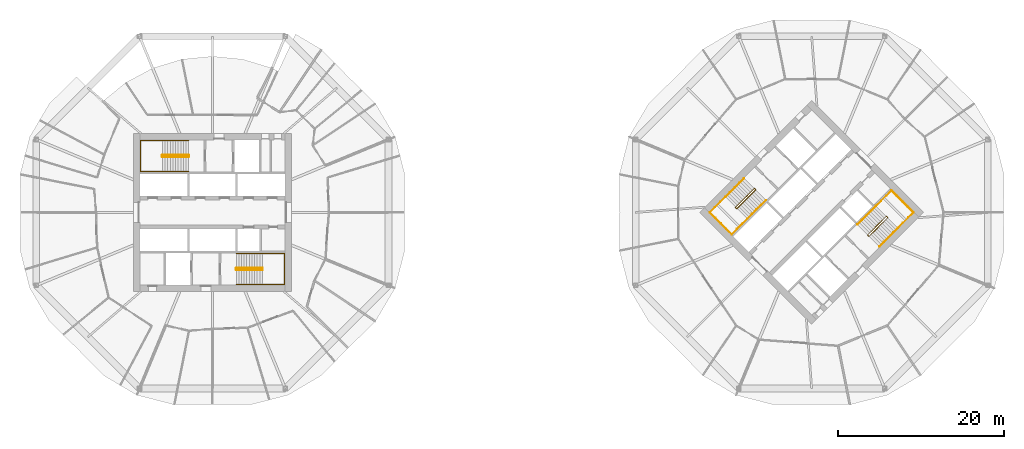
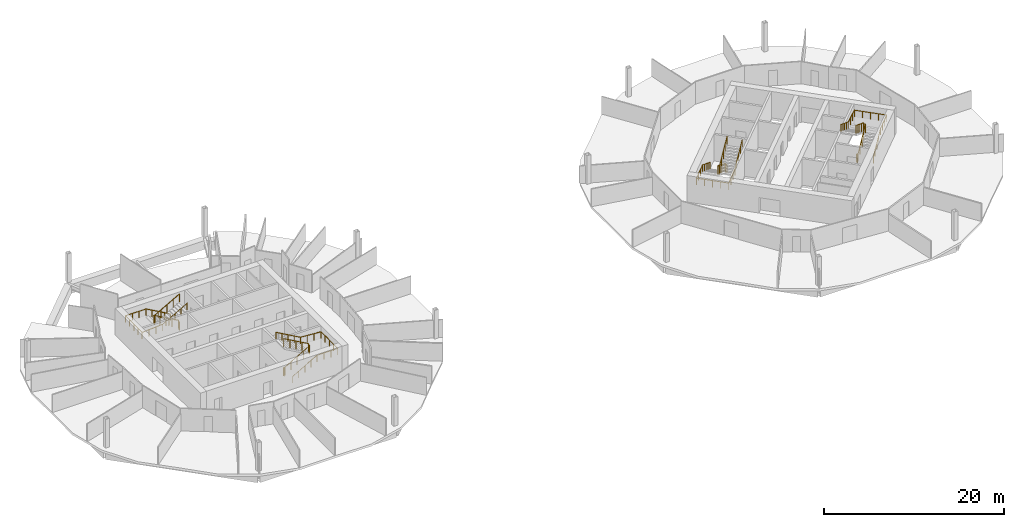
# One storey, part 10 of 10: 8 railings.
"""IFC4 building model written with IfcOpenShell, lengths in metres."""

from ifc_helpers import new_model, si_unit, direction, frame, origin, origin_2d, place, context, subcontext, project, spatial, circle, extrude, material, type_object, element, save


model = new_model("IFC4")

# Units and contexts
model_context = context("Model", 3, precision=1e-05, world=origin(), true_north=direction((0.0, 1.0)))
body_context = subcontext(model_context, "Body", "Model", "MODEL_VIEW")
ifc_project = project(units=[si_unit("LENGTHUNIT", "METRE"), si_unit("AREAUNIT", "SQUARE_METRE"), si_unit("VOLUMEUNIT", "CUBIC_METRE"), si_unit("PLANEANGLEUNIT", "RADIAN"), si_unit("MASSUNIT", "GRAM", prefix="KILO")], contexts=[model_context])

# Site, building, storey
site_placement = place(None, origin())
site = spatial("IfcSite", under=ifc_project, at=site_placement, CompositionType="ELEMENT")
building_placement = place(site_placement, origin())
building = spatial("IfcBuilding", under=site, at=building_placement, Name="Ogive Gate Towers", CompositionType="ELEMENT")
storey_placement = place(building_placement, frame((0.0, 0.0, 59.699951171875)))
storey = spatial("IfcBuildingStorey", under=building, at=storey_placement, Name="L13", CompositionType="ELEMENT", Elevation=59.699951171875)

# Railings
ifc_material = material(Name="Stainless steel", Category="steel")
railing_type_1 = type_object("IfcRailingType", Name="Stair guard 1100", PredefinedType="GUARDRAIL", material=ifc_material)
railing_1_placement = place(storey_placement, frame((-38.81494140625, 6.860107421875, 0.0)))
element("IfcRailing", 1, at=railing_1_placement, inside=storey, type_object=railing_type_1, Name="L13 ST1 stair guard 1", PredefinedType="GUARDRAIL", context=body_context, shape_type="SweptSolid", body=[
    extrude(circle(Radius=0.02392578125, at=origin_2d()), frame((0.0, 0.0, 1.076171875), z_axis=(0.0, -1.0, 0.0), x_axis=(1.0, 0.0, 0.0)), (0.0, 0.0, 1.0), 0.14501953125),
    extrude(circle(Radius=0.02392578125, at=origin_2d()), frame((0.0, -0.14501953125, 1.076171875), z_axis=(-0.186679794065, 0.726685247142, 0.661119660934), x_axis=(-0.968551454522, -0.24881334358, 0.0)), (0.0, 0.0, 1.0), 0.26806640625),
    extrude(circle(Radius=0.02392578125, at=origin_2d()), frame((-0.050048828125, 0.0498046875, 1.25341796875), z_axis=(-0.870572935281, 0.0, 0.492039393094), x_axis=(0.0, -1.0, 0.0)), (0.0, 0.0, 1.0), 3.602783203125),
    extrude(circle(Radius=0.02392578125, at=origin_2d()), frame((-3.1865234375, 0.0498046875, 3.02587890625), z_axis=(-0.707106781187, -0.707106781187, 0.0), x_axis=(0.707106781187, -0.707106781187, 0.0)), (0.0, 0.0, 1.0), 0.0703125),
    extrude(circle(Radius=0.02392578125, at=origin_2d()), frame((-3.236328125, 0.0, 3.02587890625), z_axis=(0.0, -1.0, 0.0), x_axis=(1.0, 0.0, 0.0)), (0.0, 0.0, 1.0), 0.14501953125),
    extrude(circle(Radius=0.02392578125, at=origin_2d()), frame((-3.236328125, -0.14501953125, 3.02587890625), z_axis=(0.260731885961, -0.262009983441, 0.929176868105), x_axis=(0.708833529934, 0.705375805398, 0.0)), (0.0, 0.0, 1.0), 0.19091796875),
    extrude(circle(Radius=0.02392578125, at=origin_2d()), frame((-3.1865234375, -0.195068359375, 3.20361328125), z_axis=(0.870572935281, 0.0, 0.492039393094), x_axis=(0.0, 1.0, 0.0)), (0.0, 0.0, 1.0), 3.602783203125),
    extrude(circle(Radius=0.02099609375, at=origin_2d()), origin(), (0.0, 0.0, 1.0), 1.052001953125),
    extrude(circle(Radius=0.02099609375, at=origin_2d()), frame((0.0, -0.14501953125, 0.0)), (0.0, 0.0, 1.0), 1.052001953125),
    extrude(circle(Radius=0.02099609375, at=origin_2d()), frame((-0.050048828125, 0.0498046875, 0.17724609375)), (0.0, 0.0, 1.0), 1.052001953125),
    extrude(circle(Radius=0.02099609375, at=origin_2d()), frame((-0.834228515625, 0.0498046875, 0.620361328125)), (0.0, 0.0, 1.0), 1.052001953125),
    extrude(circle(Radius=0.02099609375, at=origin_2d()), frame((-1.6181640625, 0.0498046875, 1.0634765625)), (0.0, 0.0, 1.0), 1.052001953125),
    extrude(circle(Radius=0.02099609375, at=origin_2d()), frame((-2.40234375, 0.0498046875, 1.5068359375)), (0.0, 0.0, 1.0), 1.052001953125),
    extrude(circle(Radius=0.02099609375, at=origin_2d()), frame((-3.1865234375, 0.0498046875, 1.949951171875)), (0.0, 0.0, 1.0), 1.052001953125),
    extrude(circle(Radius=0.02099609375, at=origin_2d()), frame((-3.236328125, 0.0, 1.949951171875)), (0.0, 0.0, 1.0), 1.052001953125),
    extrude(circle(Radius=0.02099609375, at=origin_2d()), frame((-3.236328125, -0.14501953125, 1.949951171875)), (0.0, 0.0, 1.0), 1.052001953125),
    extrude(circle(Radius=0.02099609375, at=origin_2d()), frame((-3.1865234375, -0.195068359375, 2.12744140625)), (0.0, 0.0, 1.0), 1.052001953125),
    extrude(circle(Radius=0.02099609375, at=origin_2d()), frame((-2.40234375, -0.195068359375, 2.570556640625)), (0.0, 0.0, 1.0), 1.052001953125),
    extrude(circle(Radius=0.02099609375, at=origin_2d()), frame((-1.6181640625, -0.195068359375, 3.013671875)), (0.0, 0.0, 1.0), 1.052001953125),
    extrude(circle(Radius=0.02099609375, at=origin_2d()), frame((-0.834228515625, -0.195068359375, 3.45703125)), (0.0, 0.0, 1.0), 1.052001953125),
    extrude(circle(Radius=0.02099609375, at=origin_2d()), frame((-0.050048828125, -0.195068359375, 3.900146484375)), (0.0, 0.0, 1.0), 1.052001953125),
])
railing_2_placement = place(storey_placement, frame((-33.18505859375, -6.860107421875, 0.0)))
element("IfcRailing", 2, at=railing_2_placement, inside=storey, type_object=railing_type_1, Name="L13 ST2 stair guard 1", PredefinedType="GUARDRAIL", context=body_context, shape_type="SweptSolid", body=[
    extrude(circle(Radius=0.02392578125, at=origin_2d()), frame((0.0, 0.0, 1.076171875), z_axis=(0.0, 1.0, 0.0), x_axis=(-1.0, 0.0, 0.0)), (0.0, 0.0, 1.0), 0.14501953125),
    extrude(circle(Radius=0.02392578125, at=origin_2d()), frame((0.0, 0.14501953125, 1.076171875), z_axis=(0.186679794065, -0.726685247142, 0.661119660934), x_axis=(0.968551454522, 0.24881334358, 0.0)), (0.0, 0.0, 1.0), 0.26806640625),
    extrude(circle(Radius=0.02392578125, at=origin_2d()), frame((0.050048828125, -0.0498046875, 1.25341796875), z_axis=(0.870572935281, 0.0, 0.492039393094), x_axis=(0.0, 1.0, 0.0)), (0.0, 0.0, 1.0), 3.602783203125),
    extrude(circle(Radius=0.02392578125, at=origin_2d()), frame((3.1865234375, -0.0498046875, 3.02587890625), z_axis=(0.707106781187, 0.707106781187, 0.0), x_axis=(-0.707106781187, 0.707106781187, 0.0)), (0.0, 0.0, 1.0), 0.0703125),
    extrude(circle(Radius=0.02392578125, at=origin_2d()), frame((3.236328125, 0.0, 3.02587890625), z_axis=(0.0, 1.0, 0.0), x_axis=(-1.0, 0.0, 0.0)), (0.0, 0.0, 1.0), 0.14501953125),
    extrude(circle(Radius=0.02392578125, at=origin_2d()), frame((3.236328125, 0.14501953125, 3.02587890625), z_axis=(-0.260731885961, 0.262009983441, 0.929176868105), x_axis=(-0.708833529934, -0.705375805398, 0.0)), (0.0, 0.0, 1.0), 0.19091796875),
    extrude(circle(Radius=0.02392578125, at=origin_2d()), frame((3.1865234375, 0.195068359375, 3.20361328125), z_axis=(-0.870572935281, 0.0, 0.492039393094), x_axis=(0.0, -1.0, 0.0)), (0.0, 0.0, 1.0), 3.602783203125),
    extrude(circle(Radius=0.02099609375, at=origin_2d()), origin(), (0.0, 0.0, 1.0), 1.052001953125),
    extrude(circle(Radius=0.02099609375, at=origin_2d()), frame((0.0, 0.14501953125, 0.0)), (0.0, 0.0, 1.0), 1.052001953125),
    extrude(circle(Radius=0.02099609375, at=origin_2d()), frame((0.050048828125, -0.0498046875, 0.17724609375)), (0.0, 0.0, 1.0), 1.052001953125),
    extrude(circle(Radius=0.02099609375, at=origin_2d()), frame((0.834228515625, -0.0498046875, 0.620361328125)), (0.0, 0.0, 1.0), 1.052001953125),
    extrude(circle(Radius=0.02099609375, at=origin_2d()), frame((1.6181640625, -0.0498046875, 1.0634765625)), (0.0, 0.0, 1.0), 1.052001953125),
    extrude(circle(Radius=0.02099609375, at=origin_2d()), frame((2.40234375, -0.0498046875, 1.5068359375)), (0.0, 0.0, 1.0), 1.052001953125),
    extrude(circle(Radius=0.02099609375, at=origin_2d()), frame((3.1865234375, -0.0498046875, 1.949951171875)), (0.0, 0.0, 1.0), 1.052001953125),
    extrude(circle(Radius=0.02099609375, at=origin_2d()), frame((3.236328125, 0.0, 1.949951171875)), (0.0, 0.0, 1.0), 1.052001953125),
    extrude(circle(Radius=0.02099609375, at=origin_2d()), frame((3.236328125, 0.14501953125, 1.949951171875)), (0.0, 0.0, 1.0), 1.052001953125),
    extrude(circle(Radius=0.02099609375, at=origin_2d()), frame((3.1865234375, 0.195068359375, 2.12744140625)), (0.0, 0.0, 1.0), 1.052001953125),
    extrude(circle(Radius=0.02099609375, at=origin_2d()), frame((2.40234375, 0.195068359375, 2.570556640625)), (0.0, 0.0, 1.0), 1.052001953125),
    extrude(circle(Radius=0.02099609375, at=origin_2d()), frame((1.6181640625, 0.195068359375, 3.013671875)), (0.0, 0.0, 1.0), 1.052001953125),
    extrude(circle(Radius=0.02099609375, at=origin_2d()), frame((0.834228515625, 0.195068359375, 3.45703125)), (0.0, 0.0, 1.0), 1.052001953125),
    extrude(circle(Radius=0.02099609375, at=origin_2d()), frame((0.050048828125, 0.195068359375, 3.900146484375)), (0.0, 0.0, 1.0), 1.052001953125),
])
railing_3_placement = place(storey_placement, frame((29.15869140625, 2.8603515625, 0.0)))
element("IfcRailing", 3, at=railing_3_placement, inside=storey, type_object=railing_type_1, Name="L13 ST1 stair guard 1", PredefinedType="GUARDRAIL", context=body_context, shape_type="SweptSolid", body=[
    extrude(circle(Radius=0.02392578125, at=origin_2d()), frame((0.0, 0.0, 1.076171875), z_axis=(0.707106781187, -0.707106781187, 0.0), x_axis=(0.707106781187, 0.707106781187, 0.0)), (0.0, 0.0, 1.0), 0.14501953125),
    extrude(circle(Radius=0.02392578125, at=origin_2d()), frame((0.1025390625, -0.1025390625, 1.076171875), z_axis=(-0.645571447971, 0.382425963537, 0.661050594114), x_axis=(-0.509669330572, -0.860370369942, 0.0)), (0.0, 0.0, 1.0), 0.26806640625),
    extrude(circle(Radius=0.02392578125, at=origin_2d()), frame((-0.070556640625, 0.0, 1.25341796875), z_axis=(-0.61558473135, -0.61558473135, 0.49204763698), x_axis=(0.707106781187, -0.707106781187, 0.0)), (0.0, 0.0, 1.0), 3.602783203125),
    extrude(circle(Radius=0.02392578125, at=origin_2d()), frame((-2.288330078125, -2.2177734375, 3.02587890625), z_axis=(0.0, -1.0, 0.0), x_axis=(1.0, 0.0, 0.0)), (0.0, 0.0, 1.0), 0.07080078125),
    extrude(circle(Radius=0.02392578125, at=origin_2d()), frame((-2.288330078125, -2.28857421875, 3.02587890625), z_axis=(0.707106781187, -0.707106781187, 0.0), x_axis=(0.707106781187, 0.707106781187, 0.0)), (0.0, 0.0, 1.0), 0.14501953125),
    extrude(circle(Radius=0.02392578125, at=origin_2d()), frame((-2.185791015625, -2.39111328125, 3.02587890625), z_axis=(0.369406379806, 0.0, 0.92926795197), x_axis=(0.0, 1.0, 0.0)), (0.0, 0.0, 1.0), 0.19091796875),
    extrude(circle(Radius=0.02392578125, at=origin_2d()), frame((-2.115234375, -2.39111328125, 3.20361328125), z_axis=(0.61558473135, 0.61558473135, 0.49204763698), x_axis=(-0.707106781187, 0.707106781187, 0.0)), (0.0, 0.0, 1.0), 3.602783203125),
    extrude(circle(Radius=0.02099609375, at=origin_2d()), origin(), (0.0, 0.0, 1.0), 1.052001953125),
    extrude(circle(Radius=0.02099609375, at=origin_2d()), frame((0.1025390625, -0.1025390625, 0.0)), (0.0, 0.0, 1.0), 1.052001953125),
    extrude(circle(Radius=0.02099609375, at=origin_2d()), frame((-0.070556640625, 0.0, 0.17724609375)), (0.0, 0.0, 1.0), 1.052001953125),
    extrude(circle(Radius=0.02099609375, at=origin_2d()), frame((-0.625, -0.554443359375, 0.620361328125)), (0.0, 0.0, 1.0), 1.052001953125),
    extrude(circle(Radius=0.02099609375, at=origin_2d()), frame((-1.179443359375, -1.10888671875, 1.0634765625)), (0.0, 0.0, 1.0), 1.052001953125),
    extrude(circle(Radius=0.02099609375, at=origin_2d()), frame((-1.73388671875, -1.663330078125, 1.5068359375)), (0.0, 0.0, 1.0), 1.052001953125),
    extrude(circle(Radius=0.02099609375, at=origin_2d()), frame((-2.288330078125, -2.2177734375, 1.949951171875)), (0.0, 0.0, 1.0), 1.052001953125),
    extrude(circle(Radius=0.02099609375, at=origin_2d()), frame((-2.288330078125, -2.28857421875, 1.949951171875)), (0.0, 0.0, 1.0), 1.052001953125),
    extrude(circle(Radius=0.02099609375, at=origin_2d()), frame((-2.185791015625, -2.39111328125, 1.949951171875)), (0.0, 0.0, 1.0), 1.052001953125),
    extrude(circle(Radius=0.02099609375, at=origin_2d()), frame((-2.115234375, -2.39111328125, 2.12744140625)), (0.0, 0.0, 1.0), 1.052001953125),
    extrude(circle(Radius=0.02099609375, at=origin_2d()), frame((-1.560791015625, -1.836669921875, 2.570556640625)), (0.0, 0.0, 1.0), 1.052001953125),
    extrude(circle(Radius=0.02099609375, at=origin_2d()), frame((-1.00634765625, -1.2822265625, 3.013671875)), (0.0, 0.0, 1.0), 1.052001953125),
    extrude(circle(Radius=0.02099609375, at=origin_2d()), frame((-0.451904296875, -0.727783203125, 3.45703125)), (0.0, 0.0, 1.0), 1.052001953125),
    extrude(circle(Radius=0.02099609375, at=origin_2d()), frame((0.1025390625, -0.17333984375, 3.900146484375)), (0.0, 0.0, 1.0), 1.052001953125),
])
railing_4_placement = place(storey_placement, frame((42.84130859375, -2.8603515625, 0.0)))
element("IfcRailing", 4, at=railing_4_placement, inside=storey, type_object=railing_type_1, Name="L13 ST2 stair guard 1", PredefinedType="GUARDRAIL", context=body_context, shape_type="SweptSolid", body=[
    extrude(circle(Radius=0.02392578125, at=origin_2d()), frame((0.0, 0.0, 1.076171875), z_axis=(-0.707106781187, 0.707106781187, 0.0), x_axis=(-0.707106781187, -0.707106781187, 0.0)), (0.0, 0.0, 1.0), 0.14501953125),
    extrude(circle(Radius=0.02392578125, at=origin_2d()), frame((-0.1025390625, 0.1025390625, 1.076171875), z_axis=(0.645571447971, -0.382425963537, 0.661050594114), x_axis=(0.509669330572, 0.860370369942, 0.0)), (0.0, 0.0, 1.0), 0.26806640625),
    extrude(circle(Radius=0.02392578125, at=origin_2d()), frame((0.070556640625, 0.0, 1.25341796875), z_axis=(0.61558473135, 0.61558473135, 0.49204763698), x_axis=(-0.707106781187, 0.707106781187, 0.0)), (0.0, 0.0, 1.0), 3.602783203125),
    extrude(circle(Radius=0.02392578125, at=origin_2d()), frame((2.288330078125, 2.2177734375, 3.02587890625), z_axis=(0.0, 1.0, 0.0), x_axis=(-1.0, 0.0, 0.0)), (0.0, 0.0, 1.0), 0.07080078125),
    extrude(circle(Radius=0.02392578125, at=origin_2d()), frame((2.288330078125, 2.28857421875, 3.02587890625), z_axis=(-0.707106781187, 0.707106781187, 0.0), x_axis=(-0.707106781187, -0.707106781187, 0.0)), (0.0, 0.0, 1.0), 0.14501953125),
    extrude(circle(Radius=0.02392578125, at=origin_2d()), frame((2.185791015625, 2.39111328125, 3.02587890625), z_axis=(-0.369406379806, 0.0, 0.92926795197), x_axis=(0.0, -1.0, 0.0)), (0.0, 0.0, 1.0), 0.19091796875),
    extrude(circle(Radius=0.02392578125, at=origin_2d()), frame((2.115234375, 2.39111328125, 3.20361328125), z_axis=(-0.61558473135, -0.61558473135, 0.49204763698), x_axis=(0.707106781187, -0.707106781187, 0.0)), (0.0, 0.0, 1.0), 3.602783203125),
    extrude(circle(Radius=0.02099609375, at=origin_2d()), origin(), (0.0, 0.0, 1.0), 1.052001953125),
    extrude(circle(Radius=0.02099609375, at=origin_2d()), frame((-0.1025390625, 0.1025390625, 0.0)), (0.0, 0.0, 1.0), 1.052001953125),
    extrude(circle(Radius=0.02099609375, at=origin_2d()), frame((0.070556640625, 0.0, 0.17724609375)), (0.0, 0.0, 1.0), 1.052001953125),
    extrude(circle(Radius=0.02099609375, at=origin_2d()), frame((0.625, 0.554443359375, 0.620361328125)), (0.0, 0.0, 1.0), 1.052001953125),
    extrude(circle(Radius=0.02099609375, at=origin_2d()), frame((1.179443359375, 1.10888671875, 1.0634765625)), (0.0, 0.0, 1.0), 1.052001953125),
    extrude(circle(Radius=0.02099609375, at=origin_2d()), frame((1.73388671875, 1.663330078125, 1.5068359375)), (0.0, 0.0, 1.0), 1.052001953125),
    extrude(circle(Radius=0.02099609375, at=origin_2d()), frame((2.288330078125, 2.2177734375, 1.949951171875)), (0.0, 0.0, 1.0), 1.052001953125),
    extrude(circle(Radius=0.02099609375, at=origin_2d()), frame((2.288330078125, 2.28857421875, 1.949951171875)), (0.0, 0.0, 1.0), 1.052001953125),
    extrude(circle(Radius=0.02099609375, at=origin_2d()), frame((2.185791015625, 2.39111328125, 1.949951171875)), (0.0, 0.0, 1.0), 1.052001953125),
    extrude(circle(Radius=0.02099609375, at=origin_2d()), frame((2.115234375, 2.39111328125, 2.12744140625)), (0.0, 0.0, 1.0), 1.052001953125),
    extrude(circle(Radius=0.02099609375, at=origin_2d()), frame((1.560791015625, 1.836669921875, 2.570556640625)), (0.0, 0.0, 1.0), 1.052001953125),
    extrude(circle(Radius=0.02099609375, at=origin_2d()), frame((1.00634765625, 1.2822265625, 3.013671875)), (0.0, 0.0, 1.0), 1.052001953125),
    extrude(circle(Radius=0.02099609375, at=origin_2d()), frame((0.451904296875, 0.727783203125, 3.45703125)), (0.0, 0.0, 1.0), 1.052001953125),
    extrude(circle(Radius=0.02099609375, at=origin_2d()), frame((-0.1025390625, 0.17333984375, 3.900146484375)), (0.0, 0.0, 1.0), 1.052001953125),
])
railing_type_2 = type_object("IfcRailingType", Name="Stair handrail 900", PredefinedType="HANDRAIL", material=ifc_material)
railing_5_placement = place(storey_placement, frame((-38.864990234375, 8.64990234375, 0.17724609375)))
element("IfcRailing", 5, at=railing_5_placement, inside=storey, type_object=railing_type_2, Name="L13 ST1 stair handrail 1", PredefinedType="HANDRAIL", context=body_context, shape_type="SweptSolid", body=[
    extrude(circle(Radius=0.02392578125, at=origin_2d()), frame((0.0, 0.0, 0.8759765625), z_axis=(-0.870572935281, 0.0, 0.492039393094), x_axis=(0.0, -1.0, 0.0)), (0.0, 0.0, 1.0), 3.602783203125),
    extrude(circle(Radius=0.02392578125, at=origin_2d()), frame((-3.136474609375, 0.0, 2.6484375), z_axis=(-1.0, 0.0, 0.0), x_axis=(0.0, -1.0, 0.0)), (0.0, 0.0, 1.0), 2.6484375),
    extrude(circle(Radius=0.02392578125, at=origin_2d()), frame((-5.784912109375, 0.0, 2.6484375), z_axis=(0.0, -1.0, 0.0), x_axis=(1.0, 0.0, 0.0)), (0.0, 0.0, 1.0), 3.724853515625),
    extrude(circle(Radius=0.02392578125, at=origin_2d()), frame((-5.784912109375, -3.724853515625, 2.6484375), z_axis=(0.997761899551, 0.0, 0.06686697096), x_axis=(0.0, 1.0, 0.0)), (0.0, 0.0, 1.0), 2.654296875),
    extrude(circle(Radius=0.02392578125, at=origin_2d()), frame((-3.136474609375, -3.724853515625, 2.826171875), z_axis=(0.870572935281, 0.0, 0.492039393094), x_axis=(0.0, 1.0, 0.0)), (0.0, 0.0, 1.0), 3.602783203125),
    extrude(circle(Radius=0.02099609375, at=origin_2d()), origin(), (0.0, 0.0, 1.0), 0.851806640625),
    extrude(circle(Radius=0.02099609375, at=origin_2d()), frame((-0.7841796875, 0.0, 0.443115234375)), (0.0, 0.0, 1.0), 0.851806640625),
    extrude(circle(Radius=0.02099609375, at=origin_2d()), frame((-1.568359375, 0.0, 0.88623046875)), (0.0, 0.0, 1.0), 0.851806640625),
    extrude(circle(Radius=0.02099609375, at=origin_2d()), frame((-2.352294921875, 0.0, 1.32958984375)), (0.0, 0.0, 1.0), 0.851806640625),
    extrude(circle(Radius=0.02099609375, at=origin_2d()), frame((-3.136474609375, 0.0, 1.772705078125)), (0.0, 0.0, 1.0), 0.851806640625),
    extrude(circle(Radius=0.02099609375, at=origin_2d()), frame((-4.019287109375, 0.0, 1.772705078125)), (0.0, 0.0, 1.0), 0.851806640625),
    extrude(circle(Radius=0.02099609375, at=origin_2d()), frame((-4.902099609375, 0.0, 1.772705078125)), (0.0, 0.0, 1.0), 0.851806640625),
    extrude(circle(Radius=0.02099609375, at=origin_2d()), frame((-5.784912109375, 0.0, 1.772705078125)), (0.0, 0.0, 1.0), 0.851806640625),
    extrude(circle(Radius=0.02099609375, at=origin_2d()), frame((-5.784912109375, -0.93115234375, 1.772705078125)), (0.0, 0.0, 1.0), 0.851806640625),
    extrude(circle(Radius=0.02099609375, at=origin_2d()), frame((-5.784912109375, -1.8623046875, 1.772705078125)), (0.0, 0.0, 1.0), 0.851806640625),
    extrude(circle(Radius=0.02099609375, at=origin_2d()), frame((-5.784912109375, -2.793701171875, 1.772705078125)), (0.0, 0.0, 1.0), 0.851806640625),
    extrude(circle(Radius=0.02099609375, at=origin_2d()), frame((-5.784912109375, -3.724853515625, 1.772705078125)), (0.0, 0.0, 1.0), 0.851806640625),
    extrude(circle(Radius=0.02099609375, at=origin_2d()), frame((-4.902099609375, -3.724853515625, 1.831787109375)), (0.0, 0.0, 1.0), 0.851806640625),
    extrude(circle(Radius=0.02099609375, at=origin_2d()), frame((-4.019287109375, -3.724853515625, 1.89111328125)), (0.0, 0.0, 1.0), 0.851806640625),
    extrude(circle(Radius=0.02099609375, at=origin_2d()), frame((-3.136474609375, -3.724853515625, 1.9501953125)), (0.0, 0.0, 1.0), 0.851806640625),
    extrude(circle(Radius=0.02099609375, at=origin_2d()), frame((-2.352294921875, -3.724853515625, 2.393310546875)), (0.0, 0.0, 1.0), 0.851806640625),
    extrude(circle(Radius=0.02099609375, at=origin_2d()), frame((-1.568359375, -3.724853515625, 2.83642578125)), (0.0, 0.0, 1.0), 0.851806640625),
    extrude(circle(Radius=0.02099609375, at=origin_2d()), frame((-0.7841796875, -3.724853515625, 3.27978515625)), (0.0, 0.0, 1.0), 0.851806640625),
    extrude(circle(Radius=0.02099609375, at=origin_2d()), frame((0.0, -3.724853515625, 3.722900390625)), (0.0, 0.0, 1.0), 0.851806640625),
])
railing_6_placement = place(storey_placement, frame((-33.135009765625, -8.64990234375, 0.17724609375)))
element("IfcRailing", 6, at=railing_6_placement, inside=storey, type_object=railing_type_2, Name="L13 ST2 stair handrail 1", PredefinedType="HANDRAIL", context=body_context, shape_type="SweptSolid", body=[
    extrude(circle(Radius=0.02392578125, at=origin_2d()), frame((0.0, 0.0, 0.8759765625), z_axis=(0.870572935281, 0.0, 0.492039393094), x_axis=(0.0, 1.0, 0.0)), (0.0, 0.0, 1.0), 3.602783203125),
    extrude(circle(Radius=0.02392578125, at=origin_2d()), frame((3.136474609375, 0.0, 2.6484375), z_axis=(1.0, 0.0, 0.0), x_axis=(0.0, 1.0, 0.0)), (0.0, 0.0, 1.0), 2.6484375),
    extrude(circle(Radius=0.02392578125, at=origin_2d()), frame((5.784912109375, 0.0, 2.6484375), z_axis=(0.0, 1.0, 0.0), x_axis=(-1.0, 0.0, 0.0)), (0.0, 0.0, 1.0), 3.724853515625),
    extrude(circle(Radius=0.02392578125, at=origin_2d()), frame((5.784912109375, 3.724853515625, 2.6484375), z_axis=(-0.997761899551, 0.0, 0.06686697096), x_axis=(0.0, -1.0, 0.0)), (0.0, 0.0, 1.0), 2.654296875),
    extrude(circle(Radius=0.02392578125, at=origin_2d()), frame((3.136474609375, 3.724853515625, 2.826171875), z_axis=(-0.870572935281, 0.0, 0.492039393094), x_axis=(0.0, -1.0, 0.0)), (0.0, 0.0, 1.0), 3.602783203125),
    extrude(circle(Radius=0.02099609375, at=origin_2d()), origin(), (0.0, 0.0, 1.0), 0.851806640625),
    extrude(circle(Radius=0.02099609375, at=origin_2d()), frame((0.7841796875, 0.0, 0.443115234375)), (0.0, 0.0, 1.0), 0.851806640625),
    extrude(circle(Radius=0.02099609375, at=origin_2d()), frame((1.568359375, 0.0, 0.88623046875)), (0.0, 0.0, 1.0), 0.851806640625),
    extrude(circle(Radius=0.02099609375, at=origin_2d()), frame((2.352294921875, 0.0, 1.32958984375)), (0.0, 0.0, 1.0), 0.851806640625),
    extrude(circle(Radius=0.02099609375, at=origin_2d()), frame((3.136474609375, 0.0, 1.772705078125)), (0.0, 0.0, 1.0), 0.851806640625),
    extrude(circle(Radius=0.02099609375, at=origin_2d()), frame((4.019287109375, 0.0, 1.772705078125)), (0.0, 0.0, 1.0), 0.851806640625),
    extrude(circle(Radius=0.02099609375, at=origin_2d()), frame((4.902099609375, 0.0, 1.772705078125)), (0.0, 0.0, 1.0), 0.851806640625),
    extrude(circle(Radius=0.02099609375, at=origin_2d()), frame((5.784912109375, 0.0, 1.772705078125)), (0.0, 0.0, 1.0), 0.851806640625),
    extrude(circle(Radius=0.02099609375, at=origin_2d()), frame((5.784912109375, 0.93115234375, 1.772705078125)), (0.0, 0.0, 1.0), 0.851806640625),
    extrude(circle(Radius=0.02099609375, at=origin_2d()), frame((5.784912109375, 1.8623046875, 1.772705078125)), (0.0, 0.0, 1.0), 0.851806640625),
    extrude(circle(Radius=0.02099609375, at=origin_2d()), frame((5.784912109375, 2.793701171875, 1.772705078125)), (0.0, 0.0, 1.0), 0.851806640625),
    extrude(circle(Radius=0.02099609375, at=origin_2d()), frame((5.784912109375, 3.724853515625, 1.772705078125)), (0.0, 0.0, 1.0), 0.851806640625),
    extrude(circle(Radius=0.02099609375, at=origin_2d()), frame((4.902099609375, 3.724853515625, 1.831787109375)), (0.0, 0.0, 1.0), 0.851806640625),
    extrude(circle(Radius=0.02099609375, at=origin_2d()), frame((4.019287109375, 3.724853515625, 1.89111328125)), (0.0, 0.0, 1.0), 0.851806640625),
    extrude(circle(Radius=0.02099609375, at=origin_2d()), frame((3.136474609375, 3.724853515625, 1.9501953125)), (0.0, 0.0, 1.0), 0.851806640625),
    extrude(circle(Radius=0.02099609375, at=origin_2d()), frame((2.352294921875, 3.724853515625, 2.393310546875)), (0.0, 0.0, 1.0), 0.851806640625),
    extrude(circle(Radius=0.02099609375, at=origin_2d()), frame((1.568359375, 3.724853515625, 2.83642578125)), (0.0, 0.0, 1.0), 0.851806640625),
    extrude(circle(Radius=0.02099609375, at=origin_2d()), frame((0.7841796875, 3.724853515625, 3.27978515625)), (0.0, 0.0, 1.0), 0.851806640625),
    extrude(circle(Radius=0.02099609375, at=origin_2d()), frame((0.0, 3.724853515625, 3.722900390625)), (0.0, 0.0, 1.0), 0.851806640625),
])
railing_7_placement = place(storey_placement, frame((27.857666015625, 4.090576171875, 0.17724609375)))
element("IfcRailing", 7, at=railing_7_placement, inside=storey, type_object=railing_type_2, Name="L13 ST1 stair handrail 1", PredefinedType="HANDRAIL", context=body_context, shape_type="SweptSolid", body=[
    extrude(circle(Radius=0.02392578125, at=origin_2d()), frame((0.0, 0.0, 0.8759765625), z_axis=(-0.61558473135, -0.61558473135, 0.49204763698), x_axis=(0.707106781187, -0.707106781187, 0.0)), (0.0, 0.0, 1.0), 3.602783203125),
    extrude(circle(Radius=0.02392578125, at=origin_2d()), frame((-2.2177734375, -2.2177734375, 2.6484375), z_axis=(-0.707106781187, -0.707106781187, 0.0), x_axis=(0.707106781187, -0.707106781187, 0.0)), (0.0, 0.0, 1.0), 2.6484375),
    extrude(circle(Radius=0.02392578125, at=origin_2d()), frame((-4.090576171875, -4.090576171875, 2.6484375), z_axis=(0.707106781187, -0.707106781187, 0.0), x_axis=(0.707106781187, 0.707106781187, 0.0)), (0.0, 0.0, 1.0), 3.72509765625),
    extrude(circle(Radius=0.02392578125, at=origin_2d()), frame((-1.45654296875, -6.724609375, 2.6484375), z_axis=(0.705478551472, 0.705570518432, 0.066859980044), x_axis=(-0.70715286629, 0.70706069308, 0.0)), (0.0, 0.0, 1.0), 2.654541015625),
    extrude(circle(Radius=0.02392578125, at=origin_2d()), frame((0.416259765625, -4.8515625, 2.826171875), z_axis=(0.615610411033, 0.615542642384, 0.4920681632), x_axis=(-0.70706785752, 0.70714570271, 0.0)), (0.0, 0.0, 1.0), 3.6025390625),
    extrude(circle(Radius=0.02099609375, at=origin_2d()), origin(), (0.0, 0.0, 1.0), 0.851806640625),
    extrude(circle(Radius=0.02099609375, at=origin_2d()), frame((-0.554443359375, -0.554443359375, 0.443115234375)), (0.0, 0.0, 1.0), 0.851806640625),
    extrude(circle(Radius=0.02099609375, at=origin_2d()), frame((-1.10888671875, -1.10888671875, 0.88623046875)), (0.0, 0.0, 1.0), 0.851806640625),
    extrude(circle(Radius=0.02099609375, at=origin_2d()), frame((-1.663330078125, -1.663330078125, 1.32958984375)), (0.0, 0.0, 1.0), 0.851806640625),
    extrude(circle(Radius=0.02099609375, at=origin_2d()), frame((-2.2177734375, -2.2177734375, 1.772705078125)), (0.0, 0.0, 1.0), 0.851806640625),
    extrude(circle(Radius=0.02099609375, at=origin_2d()), frame((-2.842041015625, -2.842041015625, 1.772705078125)), (0.0, 0.0, 1.0), 0.851806640625),
    extrude(circle(Radius=0.02099609375, at=origin_2d()), frame((-3.46630859375, -3.46630859375, 1.772705078125)), (0.0, 0.0, 1.0), 0.851806640625),
    extrude(circle(Radius=0.02099609375, at=origin_2d()), frame((-4.090576171875, -4.090576171875, 1.772705078125)), (0.0, 0.0, 1.0), 0.851806640625),
    extrude(circle(Radius=0.02099609375, at=origin_2d()), frame((-3.43212890625, -4.7490234375, 1.772705078125)), (0.0, 0.0, 1.0), 0.851806640625),
    extrude(circle(Radius=0.02099609375, at=origin_2d()), frame((-2.7734375, -5.40771484375, 1.772705078125)), (0.0, 0.0, 1.0), 0.851806640625),
    extrude(circle(Radius=0.02099609375, at=origin_2d()), frame((-2.114990234375, -6.066162109375, 1.772705078125)), (0.0, 0.0, 1.0), 0.851806640625),
    extrude(circle(Radius=0.02099609375, at=origin_2d()), frame((-1.45654296875, -6.724609375, 1.772705078125)), (0.0, 0.0, 1.0), 0.851806640625),
    extrude(circle(Radius=0.02099609375, at=origin_2d()), frame((-0.832275390625, -6.100341796875, 1.831787109375)), (0.0, 0.0, 1.0), 0.851806640625),
    extrude(circle(Radius=0.02099609375, at=origin_2d()), frame((-0.2080078125, -5.475830078125, 1.89111328125)), (0.0, 0.0, 1.0), 0.851806640625),
    extrude(circle(Radius=0.02099609375, at=origin_2d()), frame((0.416259765625, -4.8515625, 1.9501953125)), (0.0, 0.0, 1.0), 0.851806640625),
    extrude(circle(Radius=0.02099609375, at=origin_2d()), frame((0.970703125, -4.297119140625, 2.393310546875)), (0.0, 0.0, 1.0), 0.851806640625),
    extrude(circle(Radius=0.02099609375, at=origin_2d()), frame((1.525146484375, -3.74267578125, 2.83642578125)), (0.0, 0.0, 1.0), 0.851806640625),
    extrude(circle(Radius=0.02099609375, at=origin_2d()), frame((2.07958984375, -3.1884765625, 3.27978515625)), (0.0, 0.0, 1.0), 0.851806640625),
    extrude(circle(Radius=0.02099609375, at=origin_2d()), frame((2.634033203125, -2.634033203125, 3.722900390625)), (0.0, 0.0, 1.0), 0.851806640625),
])
railing_8_placement = place(storey_placement, frame((44.142333984375, -4.090576171875, 0.17724609375)))
element("IfcRailing", 8, at=railing_8_placement, inside=storey, type_object=railing_type_2, Name="L13 ST2 stair handrail 1", PredefinedType="HANDRAIL", context=body_context, shape_type="SweptSolid", body=[
    extrude(circle(Radius=0.02392578125, at=origin_2d()), frame((0.0, 0.0, 0.8759765625), z_axis=(0.61558473135, 0.61558473135, 0.49204763698), x_axis=(-0.707106781187, 0.707106781187, 0.0)), (0.0, 0.0, 1.0), 3.602783203125),
    extrude(circle(Radius=0.02392578125, at=origin_2d()), frame((2.2177734375, 2.2177734375, 2.6484375), z_axis=(0.707106781187, 0.707106781187, 0.0), x_axis=(-0.707106781187, 0.707106781187, 0.0)), (0.0, 0.0, 1.0), 2.6484375),
    extrude(circle(Radius=0.02392578125, at=origin_2d()), frame((4.090576171875, 4.090576171875, 2.6484375), z_axis=(-0.707106781187, 0.707106781187, 0.0), x_axis=(-0.707106781187, -0.707106781187, 0.0)), (0.0, 0.0, 1.0), 3.72509765625),
    extrude(circle(Radius=0.02392578125, at=origin_2d()), frame((1.45654296875, 6.724609375, 2.6484375), z_axis=(-0.705478551472, -0.705570518432, 0.066859980044), x_axis=(0.70715286629, -0.70706069308, 0.0)), (0.0, 0.0, 1.0), 2.654541015625),
    extrude(circle(Radius=0.02392578125, at=origin_2d()), frame((-0.416259765625, 4.8515625, 2.826171875), z_axis=(-0.615610411033, -0.615542642384, 0.4920681632), x_axis=(0.70706785752, -0.70714570271, 0.0)), (0.0, 0.0, 1.0), 3.6025390625),
    extrude(circle(Radius=0.02099609375, at=origin_2d()), origin(), (0.0, 0.0, 1.0), 0.851806640625),
    extrude(circle(Radius=0.02099609375, at=origin_2d()), frame((0.554443359375, 0.554443359375, 0.443115234375)), (0.0, 0.0, 1.0), 0.851806640625),
    extrude(circle(Radius=0.02099609375, at=origin_2d()), frame((1.10888671875, 1.10888671875, 0.88623046875)), (0.0, 0.0, 1.0), 0.851806640625),
    extrude(circle(Radius=0.02099609375, at=origin_2d()), frame((1.663330078125, 1.663330078125, 1.32958984375)), (0.0, 0.0, 1.0), 0.851806640625),
    extrude(circle(Radius=0.02099609375, at=origin_2d()), frame((2.2177734375, 2.2177734375, 1.772705078125)), (0.0, 0.0, 1.0), 0.851806640625),
    extrude(circle(Radius=0.02099609375, at=origin_2d()), frame((2.842041015625, 2.842041015625, 1.772705078125)), (0.0, 0.0, 1.0), 0.851806640625),
    extrude(circle(Radius=0.02099609375, at=origin_2d()), frame((3.46630859375, 3.46630859375, 1.772705078125)), (0.0, 0.0, 1.0), 0.851806640625),
    extrude(circle(Radius=0.02099609375, at=origin_2d()), frame((4.090576171875, 4.090576171875, 1.772705078125)), (0.0, 0.0, 1.0), 0.851806640625),
    extrude(circle(Radius=0.02099609375, at=origin_2d()), frame((3.43212890625, 4.7490234375, 1.772705078125)), (0.0, 0.0, 1.0), 0.851806640625),
    extrude(circle(Radius=0.02099609375, at=origin_2d()), frame((2.7734375, 5.40771484375, 1.772705078125)), (0.0, 0.0, 1.0), 0.851806640625),
    extrude(circle(Radius=0.02099609375, at=origin_2d()), frame((2.114990234375, 6.066162109375, 1.772705078125)), (0.0, 0.0, 1.0), 0.851806640625),
    extrude(circle(Radius=0.02099609375, at=origin_2d()), frame((1.45654296875, 6.724609375, 1.772705078125)), (0.0, 0.0, 1.0), 0.851806640625),
    extrude(circle(Radius=0.02099609375, at=origin_2d()), frame((0.832275390625, 6.100341796875, 1.831787109375)), (0.0, 0.0, 1.0), 0.851806640625),
    extrude(circle(Radius=0.02099609375, at=origin_2d()), frame((0.2080078125, 5.475830078125, 1.89111328125)), (0.0, 0.0, 1.0), 0.851806640625),
    extrude(circle(Radius=0.02099609375, at=origin_2d()), frame((-0.416259765625, 4.8515625, 1.9501953125)), (0.0, 0.0, 1.0), 0.851806640625),
    extrude(circle(Radius=0.02099609375, at=origin_2d()), frame((-0.970703125, 4.297119140625, 2.393310546875)), (0.0, 0.0, 1.0), 0.851806640625),
    extrude(circle(Radius=0.02099609375, at=origin_2d()), frame((-1.525146484375, 3.74267578125, 2.83642578125)), (0.0, 0.0, 1.0), 0.851806640625),
    extrude(circle(Radius=0.02099609375, at=origin_2d()), frame((-2.07958984375, 3.1884765625, 3.27978515625)), (0.0, 0.0, 1.0), 0.851806640625),
    extrude(circle(Radius=0.02099609375, at=origin_2d()), frame((-2.634033203125, 2.634033203125, 3.722900390625)), (0.0, 0.0, 1.0), 0.851806640625),
])

save(model, "model.ifc")
